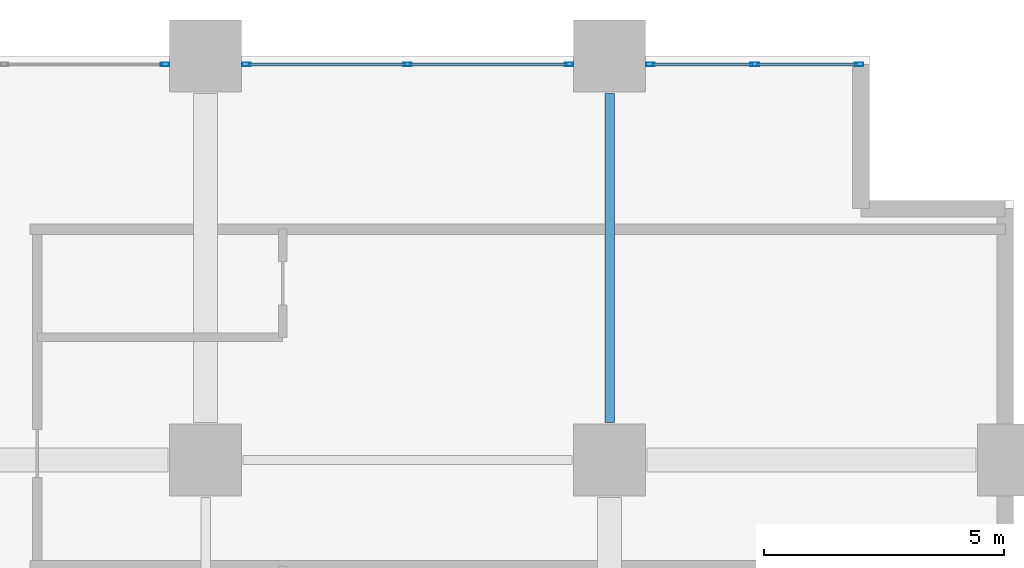
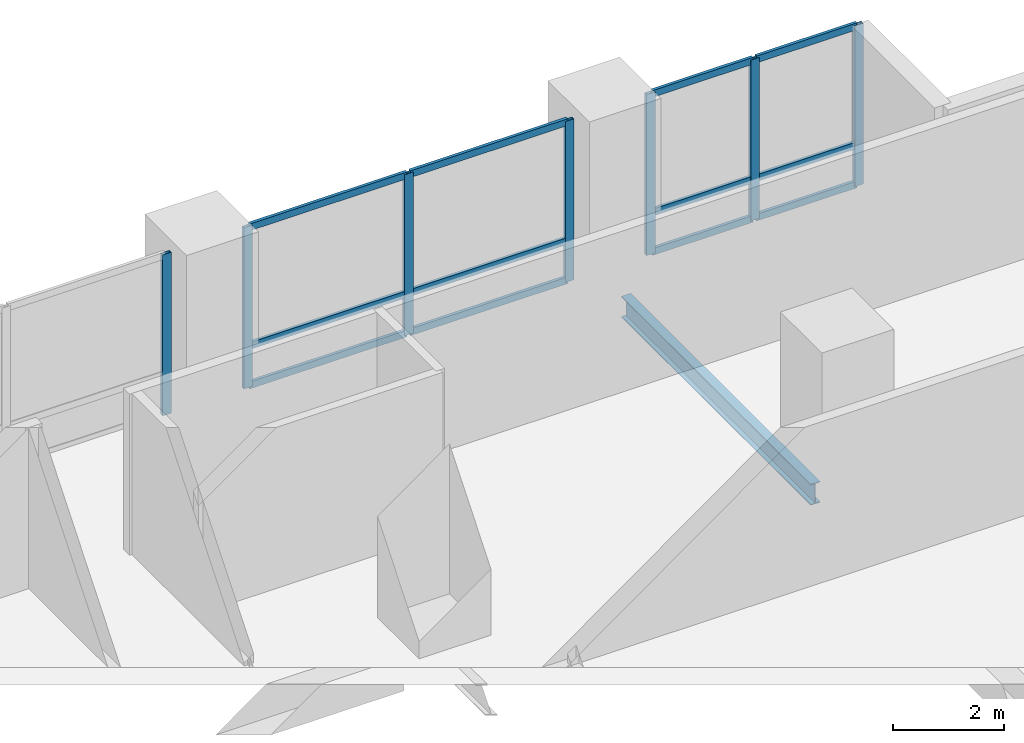
# One storey, part 5 of 23: 19 members, 1 beam, 3 elements without a shape of their own.
"""IFC4 building model written with IfcOpenShell, lengths in metres."""

import ifcopenshell
import ifcopenshell.guid

model = None  # the IFC model being written
_history = None  # IfcOwnerHistory: only IFC2X3 demands one
_inside = {}  # id of a spatial element -> (the spatial element, [elements in it])
_under = {}  # id of a project, library or spatial element -> (it, [spatial elements below it])
_declared = {}  # id of a project -> (the project, [libraries it declares])
_typed = {}  # id of a type object -> (the type object, [elements of that type])
_made_of = {}  # id of a material, layer set ... -> (it, [elements and type objects made of it])


def new_model(schema):
    """Start an empty IFC model of exactly this schema.

    Asked for "IFC4X3", IfcOpenShell would pick the latest addendum, in which some entities
    have other attributes; the version numbers below select the first issue.
    IFC2X3 requires an IfcOwnerHistory on every rooted entity: one is made here for all.
    """
    global model, _history
    if schema == "IFC4X3":
        model = ifcopenshell.file(schema_version=(4, 3, 0, 0))
    else:
        model = ifcopenshell.file(schema=schema)
    _inside.clear()
    _under.clear()
    _declared.clear()
    _typed.clear()
    _made_of.clear()
    _history = None
    if model.schema == "IFC2X3":
        org = make("IfcOrganization", Name="unknown")
        user = make(
            "IfcPersonAndOrganization",
            ThePerson=make("IfcPerson", FamilyName="unknown"),
            TheOrganization=org,
        )
        app = make(
            "IfcApplication",
            ApplicationDeveloper=org,
            Version="unknown",
            ApplicationFullName="unknown",
            ApplicationIdentifier="unknown",
        )
        _history = make(
            "IfcOwnerHistory",
            OwningUser=user,
            OwningApplication=app,
            ChangeAction="ADDED",
            CreationDate=0,
        )
    return model


def make(cls, **values):
    """One entity of the class cls with the attributes given. An attribute that is None is left unset."""
    return model.create_entity(
        cls, **{name: value for name, value in values.items() if value is not None}
    )


def rooted(cls, **values):
    """An entity with a GlobalId (a new one), such as an element, a storey or a relation."""
    return make(cls, GlobalId=ifcopenshell.guid.new(), OwnerHistory=_history, **values)


def si_unit(unit_type, name, prefix=None):
    """IfcSIUnit, for example si_unit("LENGTHUNIT", "METRE", prefix="MILLI")."""
    return make("IfcSIUnit", UnitType=unit_type, Prefix=prefix, Name=name)


def assignment(units):
    """IfcUnitAssignment: the units of a project."""
    return None if units is None else make("IfcUnitAssignment", Units=units)


def point(xyz):
    """IfcCartesianPoint."""
    return None if xyz is None else make("IfcCartesianPoint", Coordinates=xyz)


def direction(xyz):
    """IfcDirection."""
    return None if xyz is None else make("IfcDirection", DirectionRatios=xyz)


def frame(location, z_axis=None, x_axis=None):
    """IfcAxis2Placement3D, a coordinate frame: its origin and axes. An axis left out is left unset."""
    return make(
        "IfcAxis2Placement3D",
        Location=point(location),
        Axis=direction(z_axis),
        RefDirection=direction(x_axis),
    )


def frame_2d(location, x_axis=None):
    """IfcAxis2Placement2D, a coordinate frame in the plane: its origin and x axis."""
    return make(
        "IfcAxis2Placement2D", Location=point(location), RefDirection=direction(x_axis)
    )


def origin():
    """The frame at (0, 0, 0) with its axes left unset."""
    return frame((0.0, 0.0, 0.0))


def origin_2d():
    """The frame at (0, 0) in the plane with its x axis left unset."""
    return frame_2d((0.0, 0.0))


def place(relative_to, where):
    """IfcLocalPlacement: puts the frame where relative to a parent placement (None: the world)."""
    return make(
        "IfcLocalPlacement", PlacementRelTo=relative_to, RelativePlacement=where
    )


def context(
    kind, dimensions, precision=None, world=None, true_north=None, identifier=None
):
    """IfcGeometricRepresentationContext, for example the 3D "Model" context."""
    return make(
        "IfcGeometricRepresentationContext",
        ContextIdentifier=identifier,
        ContextType=kind,
        CoordinateSpaceDimension=dimensions,
        Precision=precision,
        WorldCoordinateSystem=world,
        TrueNorth=true_north,
    )


def subcontext(parent, identifier, kind, view, scale=None):
    """IfcGeometricRepresentationSubContext, for example "Body" below "Model"."""
    return make(
        "IfcGeometricRepresentationSubContext",
        ContextIdentifier=identifier,
        ContextType=kind,
        ParentContext=parent,
        TargetScale=scale,
        TargetView=view,
    )


def project(units=None, contexts=None):
    """IfcProject with its units and contexts."""
    return rooted(
        "IfcProject",
        Name="project",
        RepresentationContexts=contexts,
        UnitsInContext=assignment(units),
    )


def spatial(cls, under=None, at=None, **own):
    """A site, building, storey or space (cls), placed at a placement, below another one or the project."""
    s = rooted(cls, ObjectPlacement=at, **own)
    if under is not None:
        _under.setdefault(under.id(), (under, []))[1].append(s)
    return s


def profile(cls, at=None, kind="AREA", **sizes):
    """A parametric profile (cls). Its sizes go by their IFC names, for example OverallWidth=200.0."""
    return make(cls, ProfileType=kind, Position=at, **sizes)


def hollow_rectangle(**sizes):
    """IfcRectangleHollowProfileDef."""
    return profile("IfcRectangleHollowProfileDef", **sizes)


def i_section(**sizes):
    """IfcIShapeProfileDef."""
    return profile("IfcIShapeProfileDef", **sizes)


def extrude(swept, where, along, depth):
    """IfcExtrudedAreaSolid: the profile swept, set in the frame where, extruded along a direction by depth."""
    return make(
        "IfcExtrudedAreaSolid",
        SweptArea=swept,
        Position=where,
        ExtrudedDirection=direction(along),
        Depth=depth,
    )


def shape(context_of_items, identifier, shape_type, items):
    """IfcShapeRepresentation: the items that make up one representation, for example the "Body"."""
    return make(
        "IfcShapeRepresentation",
        ContextOfItems=context_of_items,
        RepresentationIdentifier=identifier,
        RepresentationType=shape_type,
        Items=items,
    )


def material(Name=None, Category=None):
    """IfcMaterial."""
    return make("IfcMaterial", Name=Name, Category=Category)


def layer(
    of_material, thickness, ventilated=None, Name=None, Category=None, Priority=None
):
    """IfcMaterialLayer: one layer of a wall or slab, of a material (None: an air gap)."""
    return make(
        "IfcMaterialLayer",
        Material=of_material,
        LayerThickness=thickness,
        IsVentilated=ventilated,
        Name=Name,
        Category=Category,
        Priority=Priority,
    )


def layer_set(layers, Name=None):
    """IfcMaterialLayerSet."""
    return make("IfcMaterialLayerSet", MaterialLayers=layers, LayerSetName=Name)


def material_profile(
    of_material, cross_section, Name=None, Category=None, Priority=None
):
    """IfcMaterialProfile: a cross section and its material."""
    return make(
        "IfcMaterialProfile",
        Name=Name,
        Material=of_material,
        Profile=cross_section,
        Priority=Priority,
        Category=Category,
    )


def profile_set(profiles, Name=None, composite=None):
    """IfcMaterialProfileSet."""
    return make(
        "IfcMaterialProfileSet",
        Name=Name,
        MaterialProfiles=profiles,
        CompositeProfile=composite,
    )


def made_of(thing, what):
    """Note that an element or type object is made of a material, layer set ...; save() writes the relation."""
    if what is not None:
        _made_of.setdefault(what.id(), (what, []))[1].append(thing)
    return thing


def type_object(cls, material=None, **own):
    """A type object (cls), such as IfcWallType, which elements share."""
    return made_of(rooted(cls, **own), material)


def element(
    cls,
    number,
    at=None,
    inside=None,
    cuts=None,
    type_object=None,
    material=None,
    context=None,
    identifier="Body",
    shape_type=None,
    held_by="IfcProductDefinitionShape",
    body=None,
    shapes=None,
    **own,
):
    """One element of the class cls, such as IfcWall. Its Tag is "e" and its number.

    at: its placement. inside: the storey or other place that contains it. cuts: it is an
    opening in that element (IfcRelVoidsElement). A single representation is given by context,
    identifier, shape_type and body (its items); several are given by shapes. held_by: the class
    of the entity that holds the representations. save() writes the other relations.
    """
    e = rooted(cls, Tag="e%d" % number, ObjectPlacement=at, **own)
    if body is not None:
        shapes = [shape(context, identifier, shape_type, body)]
    if shapes is not None:
        e.Representation = make(held_by, Representations=shapes)
    if inside is not None:
        _inside.setdefault(inside.id(), (inside, []))[1].append(e)
    if cuts is not None:
        rooted(
            "IfcRelVoidsElement", RelatingBuildingElement=cuts, RelatedOpeningElement=e
        )
    if type_object is not None:
        _typed.setdefault(type_object.id(), (type_object, []))[1].append(e)
    return made_of(e, material)


def aggregate(whole, parts):
    """IfcRelAggregates: a whole, such as a stair, and the parts it consists of."""
    return rooted("IfcRelAggregates", RelatingObject=whole, RelatedObjects=parts)


def save(model, path):
    """Write the relations noted so far, then the file.

    IfcRelAggregates (storeys below a building ...), IfcRelContainedInSpatialStructure (elements
    in a storey), IfcRelDefinesByType, IfcRelAssociatesMaterial and IfcRelDeclares: one each for
    every whole, place, type object, material and project.
    """
    for whole, parts in _under.values():
        aggregate(whole, parts)
    for where, things in _inside.values():
        rooted(
            "IfcRelContainedInSpatialStructure",
            RelatedElements=things,
            RelatingStructure=where,
        )
    for kind, things in _typed.values():
        rooted("IfcRelDefinesByType", RelatedObjects=things, RelatingType=kind)
    for what, things in _made_of.values():
        rooted("IfcRelAssociatesMaterial", RelatedObjects=things, RelatingMaterial=what)
    for by, libraries in _declared.values():
        rooted("IfcRelDeclares", RelatingContext=by, RelatedDefinitions=libraries)
    model.write(path)


model = new_model("IFC4")

# Units and contexts
model_context = context("Model", 3, precision=1e-05, world=origin(), true_north=direction((0.0, 1.0)))
body_context = subcontext(model_context, "Body", "Model", "MODEL_VIEW")
ifc_project = project(units=[si_unit("LENGTHUNIT", "METRE"), si_unit("AREAUNIT", "SQUARE_METRE"), si_unit("VOLUMEUNIT", "CUBIC_METRE"), si_unit("PLANEANGLEUNIT", "RADIAN"), si_unit("MASSUNIT", "GRAM", prefix="KILO")], contexts=[model_context])

# Site, building, storey
site_placement = place(None, origin())
site = spatial("IfcSite", under=ifc_project, at=site_placement, CompositionType="ELEMENT")
building_placement = place(site_placement, origin())
building = spatial("IfcBuilding", under=site, at=building_placement, Name="Koriwani Terraces Tower", CompositionType="ELEMENT")
storey_placement = place(building_placement, frame((0.0, 0.0, 32.0)))
storey = spatial("IfcBuildingStorey", under=building, at=storey_placement, Name="L06", CompositionType="ELEMENT", Elevation=32.0)

# Curtain wall, member
ifc_material_1 = material(Name="Anodised Bronze Aluminium", Category="aluminium")
ifc_layer = layer(ifc_material_1, 0.179931640625, Name="Anodised Bronze Aluminium")
ifc_layer_set = layer_set([ifc_layer], Name="Anodised Bronze Aluminium")
curtain_wall_type = type_object("IfcCurtainWallType", Name="CW_HOTEL_ZONE1", PredefinedType="NOTDEFINED", material=ifc_layer_set)
curtain_wall_1_placement = place(storey_placement, origin())
curtain_wall_1 = element("IfcCurtainWall", 1, at=curtain_wall_1_placement, inside=storey, type_object=curtain_wall_type, Name="L06 Unitised Curtain Wall (N_TIP) Bay 2", PredefinedType="NOTDEFINED")
ifc_material_profile_1 = material_profile(ifc_material_1, hollow_rectangle(XDim=0.074951171875, YDim=0.179931640625, WallThickness=0.006103515625, at=origin_2d()), Name="Anodised Bronze Aluminium", Category="LoadBearing")
ifc_profile_set_1 = profile_set([ifc_material_profile_1], Name="Anodised Bronze Aluminium")
member_type_1 = type_object("IfcMemberType", Name="CW_MULLION_180X75", PredefinedType="MULLION", material=ifc_profile_set_1)
member_1_placement = place(storey_placement, frame((15.952392578125, 92.22509765625, 0.0), z_axis=(0.0, 0.0, 1.0), x_axis=(0.0, 1.0, 0.0)))
member_1 = element("IfcMember", 2, at=member_1_placement, type_object=member_type_1, Name="CW-Z1 mullion 3", PredefinedType="MULLION", context=body_context, shape_type="SweptSolid", body=[
    extrude(hollow_rectangle(XDim=0.074951171875, YDim=0.179931640625, WallThickness=0.006103515625, at=origin_2d()), origin(), (0.0, 0.0, 1.0), 3.550048828125),
])
aggregate(curtain_wall_1, [member_1])

# Curtain wall, members
curtain_wall_2_placement = place(storey_placement, origin())
curtain_wall_2 = element("IfcCurtainWall", 3, at=curtain_wall_2_placement, inside=storey, type_object=curtain_wall_type, Name="L06 Unitised Curtain Wall (N_TIP) Bay 3", PredefinedType="NOTDEFINED")
member_2_placement = place(storey_placement, frame((17.6474609375, 92.22509765625, 0.0), z_axis=(0.0, 0.0, 1.0), x_axis=(0.0, 1.0, 0.0)))
member_2 = element("IfcMember", 4, at=member_2_placement, type_object=member_type_1, Name="CW-Z1 mullion 1", PredefinedType="MULLION", context=body_context, shape_type="SweptSolid", body=[
    extrude(hollow_rectangle(XDim=0.074951171875, YDim=0.179931640625, WallThickness=0.006103515625, at=origin_2d()), origin(), (0.0, 0.0, 1.0), 3.550048828125),
])
member_3_placement = place(storey_placement, frame((21.0, 92.22509765625, 0.0), z_axis=(0.0, 0.0, 1.0), x_axis=(0.0, 1.0, 0.0)))
member_3 = element("IfcMember", 5, at=member_3_placement, type_object=member_type_1, Name="CW-Z1 mullion 2", PredefinedType="MULLION", context=body_context, shape_type="SweptSolid", body=[
    extrude(hollow_rectangle(XDim=0.074951171875, YDim=0.179931640625, WallThickness=0.006103515625, at=origin_2d()), origin(), (0.0, 0.0, 1.0), 3.550048828125),
])
member_4_placement = place(storey_placement, frame((24.3525390625, 92.22509765625, 0.0), z_axis=(0.0, 0.0, 1.0), x_axis=(0.0, 1.0, 0.0)))
member_4 = element("IfcMember", 6, at=member_4_placement, type_object=member_type_1, Name="CW-Z1 mullion 3", PredefinedType="MULLION", context=body_context, shape_type="SweptSolid", body=[
    extrude(hollow_rectangle(XDim=0.074951171875, YDim=0.179931640625, WallThickness=0.006103515625, at=origin_2d()), origin(), (0.0, 0.0, 1.0), 3.550048828125),
])

curtain_wall_3_placement = place(storey_placement, origin())
curtain_wall_3 = element("IfcCurtainWall", 7, at=curtain_wall_3_placement, inside=storey, type_object=curtain_wall_type, Name="L06 Unitised Curtain Wall (N_TIP) Bay 4", PredefinedType="NOTDEFINED")
member_5_placement = place(storey_placement, frame((26.047607421875, 92.22509765625, 0.0), z_axis=(0.0, 0.0, 1.0), x_axis=(0.0, 1.0, 0.0)))
member_5 = element("IfcMember", 8, at=member_5_placement, type_object=member_type_1, Name="CW-Z1 mullion 1", PredefinedType="MULLION", context=body_context, shape_type="SweptSolid", body=[
    extrude(hollow_rectangle(XDim=0.074951171875, YDim=0.179931640625, WallThickness=0.006103515625, at=origin_2d()), origin(), (0.0, 0.0, 1.0), 3.550048828125),
])
member_6_placement = place(storey_placement, frame((28.217529296875, 92.22509765625, 0.0), z_axis=(0.0, 0.0, 1.0), x_axis=(0.0, 1.0, 0.0)))
member_6 = element("IfcMember", 9, at=member_6_placement, type_object=member_type_1, Name="CW-Z1 mullion 2", PredefinedType="MULLION", context=body_context, shape_type="SweptSolid", body=[
    extrude(hollow_rectangle(XDim=0.074951171875, YDim=0.179931640625, WallThickness=0.006103515625, at=origin_2d()), origin(), (0.0, 0.0, 1.0), 3.550048828125),
])
member_7_placement = place(storey_placement, frame((30.387451171875, 92.22509765625, 0.0), z_axis=(0.0, 0.0, 1.0), x_axis=(0.0, 1.0, 0.0)))
member_7 = element("IfcMember", 10, at=member_7_placement, type_object=member_type_1, Name="CW-Z1 mullion 3", PredefinedType="MULLION", context=body_context, shape_type="SweptSolid", body=[
    extrude(hollow_rectangle(XDim=0.074951171875, YDim=0.179931640625, WallThickness=0.006103515625, at=origin_2d()), origin(), (0.0, 0.0, 1.0), 3.550048828125),
])

# Member
ifc_material_profile_2 = material_profile(ifc_material_1, hollow_rectangle(XDim=0.06494140625, YDim=0.14990234375, WallThickness=0.0048828125, at=origin_2d()), Name="Anodised Bronze Aluminium", Category="LoadBearing")
ifc_profile_set_2 = profile_set([ifc_material_profile_2], Name="Anodised Bronze Aluminium")
member_type_2 = type_object("IfcMemberType", Name="CW_TRANSOM_150X65", PredefinedType="USERDEFINED", material=ifc_profile_set_2)
member_8_placement = place(storey_placement, frame((17.68505859375, 92.22509765625, 0.032470703125), z_axis=(1.0, 0.0, 0.0), x_axis=(0.0, 1.0, 0.0)))
member_8 = element("IfcMember", 11, at=member_8_placement, type_object=member_type_2, Name="CW-Z1 transom 1.1", ObjectType="TRANSOM", PredefinedType="USERDEFINED", context=body_context, shape_type="SweptSolid", body=[
    extrude(hollow_rectangle(XDim=0.06494140625, YDim=0.14990234375, WallThickness=0.0048828125, at=origin_2d()), origin(), (0.0, 0.0, 1.0), 3.27734375),
])

member_9_placement = place(storey_placement, frame((17.68505859375, 92.22509765625, 0.89990234375), z_axis=(1.0, 0.0, 0.0), x_axis=(0.0, 1.0, 0.0)))
member_9 = element("IfcMember", 12, at=member_9_placement, type_object=member_type_2, Name="CW-Z1 transom 1.2", ObjectType="TRANSOM", PredefinedType="USERDEFINED", context=body_context, shape_type="SweptSolid", body=[
    extrude(hollow_rectangle(XDim=0.06494140625, YDim=0.14990234375, WallThickness=0.0048828125, at=origin_2d()), origin(), (0.0, 0.0, 1.0), 3.27734375),
])

member_10_placement = place(storey_placement, frame((17.68505859375, 92.22509765625, 3.517578125), z_axis=(1.0, 0.0, 0.0), x_axis=(0.0, 1.0, 0.0)))
member_10 = element("IfcMember", 13, at=member_10_placement, type_object=member_type_2, Name="CW-Z1 transom 1.3", ObjectType="TRANSOM", PredefinedType="USERDEFINED", context=body_context, shape_type="SweptSolid", body=[
    extrude(hollow_rectangle(XDim=0.06494140625, YDim=0.14990234375, WallThickness=0.0048828125, at=origin_2d()), origin(), (0.0, 0.0, 1.0), 3.27734375),
])

member_11_placement = place(storey_placement, frame((21.03759765625, 92.22509765625, 0.032470703125), z_axis=(1.0, 0.0, 0.0), x_axis=(0.0, 1.0, 0.0)))
member_11 = element("IfcMember", 14, at=member_11_placement, type_object=member_type_2, Name="CW-Z1 transom 2.1", ObjectType="TRANSOM", PredefinedType="USERDEFINED", context=body_context, shape_type="SweptSolid", body=[
    extrude(hollow_rectangle(XDim=0.06494140625, YDim=0.14990234375, WallThickness=0.0048828125, at=origin_2d()), origin(), (0.0, 0.0, 1.0), 3.27734375),
])

member_12_placement = place(storey_placement, frame((21.03759765625, 92.22509765625, 0.89990234375), z_axis=(1.0, 0.0, 0.0), x_axis=(0.0, 1.0, 0.0)))
member_12 = element("IfcMember", 15, at=member_12_placement, type_object=member_type_2, Name="CW-Z1 transom 2.2", ObjectType="TRANSOM", PredefinedType="USERDEFINED", context=body_context, shape_type="SweptSolid", body=[
    extrude(hollow_rectangle(XDim=0.06494140625, YDim=0.14990234375, WallThickness=0.0048828125, at=origin_2d()), origin(), (0.0, 0.0, 1.0), 3.27734375),
])

member_13_placement = place(storey_placement, frame((21.03759765625, 92.22509765625, 3.517578125), z_axis=(1.0, 0.0, 0.0), x_axis=(0.0, 1.0, 0.0)))
member_13 = element("IfcMember", 16, at=member_13_placement, type_object=member_type_2, Name="CW-Z1 transom 2.3", ObjectType="TRANSOM", PredefinedType="USERDEFINED", context=body_context, shape_type="SweptSolid", body=[
    extrude(hollow_rectangle(XDim=0.06494140625, YDim=0.14990234375, WallThickness=0.0048828125, at=origin_2d()), origin(), (0.0, 0.0, 1.0), 3.27734375),
])

aggregate(curtain_wall_2, [member_2, member_3, member_4, member_8, member_9, member_10, member_11, member_12, member_13])

member_14_placement = place(storey_placement, frame((26.0849609375, 92.22509765625, 0.032470703125), z_axis=(1.0, 0.0, 0.0), x_axis=(0.0, 1.0, 0.0)))
member_14 = element("IfcMember", 17, at=member_14_placement, type_object=member_type_2, Name="CW-Z1 transom 1.1", ObjectType="TRANSOM", PredefinedType="USERDEFINED", context=body_context, shape_type="SweptSolid", body=[
    extrude(hollow_rectangle(XDim=0.06494140625, YDim=0.14990234375, WallThickness=0.0048828125, at=origin_2d()), origin(), (0.0, 0.0, 1.0), 2.094970703125),
])

member_15_placement = place(storey_placement, frame((26.0849609375, 92.22509765625, 0.89990234375), z_axis=(1.0, 0.0, 0.0), x_axis=(0.0, 1.0, 0.0)))
member_15 = element("IfcMember", 18, at=member_15_placement, type_object=member_type_2, Name="CW-Z1 transom 1.2", ObjectType="TRANSOM", PredefinedType="USERDEFINED", context=body_context, shape_type="SweptSolid", body=[
    extrude(hollow_rectangle(XDim=0.06494140625, YDim=0.14990234375, WallThickness=0.0048828125, at=origin_2d()), origin(), (0.0, 0.0, 1.0), 2.094970703125),
])

member_16_placement = place(storey_placement, frame((26.0849609375, 92.22509765625, 3.517578125), z_axis=(1.0, 0.0, 0.0), x_axis=(0.0, 1.0, 0.0)))
member_16 = element("IfcMember", 19, at=member_16_placement, type_object=member_type_2, Name="CW-Z1 transom 1.3", ObjectType="TRANSOM", PredefinedType="USERDEFINED", context=body_context, shape_type="SweptSolid", body=[
    extrude(hollow_rectangle(XDim=0.06494140625, YDim=0.14990234375, WallThickness=0.0048828125, at=origin_2d()), origin(), (0.0, 0.0, 1.0), 2.094970703125),
])

member_17_placement = place(storey_placement, frame((28.2548828125, 92.22509765625, 0.032470703125), z_axis=(1.0, 0.0, 0.0), x_axis=(0.0, 1.0, 0.0)))
member_17 = element("IfcMember", 20, at=member_17_placement, type_object=member_type_2, Name="CW-Z1 transom 2.1", ObjectType="TRANSOM", PredefinedType="USERDEFINED", context=body_context, shape_type="SweptSolid", body=[
    extrude(hollow_rectangle(XDim=0.06494140625, YDim=0.14990234375, WallThickness=0.0048828125, at=origin_2d()), origin(), (0.0, 0.0, 1.0), 2.09521484375),
])

member_18_placement = place(storey_placement, frame((28.2548828125, 92.22509765625, 0.89990234375), z_axis=(1.0, 0.0, 0.0), x_axis=(0.0, 1.0, 0.0)))
member_18 = element("IfcMember", 21, at=member_18_placement, type_object=member_type_2, Name="CW-Z1 transom 2.2", ObjectType="TRANSOM", PredefinedType="USERDEFINED", context=body_context, shape_type="SweptSolid", body=[
    extrude(hollow_rectangle(XDim=0.06494140625, YDim=0.14990234375, WallThickness=0.0048828125, at=origin_2d()), origin(), (0.0, 0.0, 1.0), 2.09521484375),
])

member_19_placement = place(storey_placement, frame((28.2548828125, 92.22509765625, 3.517578125), z_axis=(1.0, 0.0, 0.0), x_axis=(0.0, 1.0, 0.0)))
member_19 = element("IfcMember", 22, at=member_19_placement, type_object=member_type_2, Name="CW-Z1 transom 2.3", ObjectType="TRANSOM", PredefinedType="USERDEFINED", context=body_context, shape_type="SweptSolid", body=[
    extrude(hollow_rectangle(XDim=0.06494140625, YDim=0.14990234375, WallThickness=0.0048828125, at=origin_2d()), origin(), (0.0, 0.0, 1.0), 2.09521484375),
])

aggregate(curtain_wall_3, [member_5, member_6, member_7, member_14, member_15, member_16, member_17, member_18, member_19])

# Beam
ifc_material_2 = material(Name="Steel ASTM A572 Grade 50", Category="steel")
ifc_material_profile_3 = material_profile(ifc_material_2, i_section(OverallWidth=0.193115234375, OverallDepth=0.462890625, WebThickness=0.0107421875, FlangeThickness=0.017333984375, at=origin_2d()), Name="Steel ASTM A572 Grade 50", Category="LoadBearing")
ifc_profile_set_3 = profile_set([ifc_material_profile_3], Name="Steel ASTM A572 Grade 50")
beam_type = type_object("IfcBeamType", Name="STEEL_BEAM_W460X113", PredefinedType="BEAM", material=ifc_profile_set_3)
beam_placement = place(storey_placement, frame((25.199951171875, 84.780029296875, -0.4814453125), z_axis=(0.0, 1.0, 0.0), x_axis=(-1.0, 0.0, 0.0)))
element("IfcBeam", 23, at=beam_placement, inside=storey, type_object=beam_type, Name="L06 Grid Beam 4 (84.0-92.4m)", PredefinedType="BEAM", context=body_context, shape_type="SweptSolid", body=[
    extrude(i_section(OverallWidth=0.193115234375, OverallDepth=0.462890625, WebThickness=0.0107421875, FlangeThickness=0.017333984375, at=origin_2d()), origin(), (0.0, 0.0, 1.0), 6.840087890625),
])

save(model, "model.ifc")
